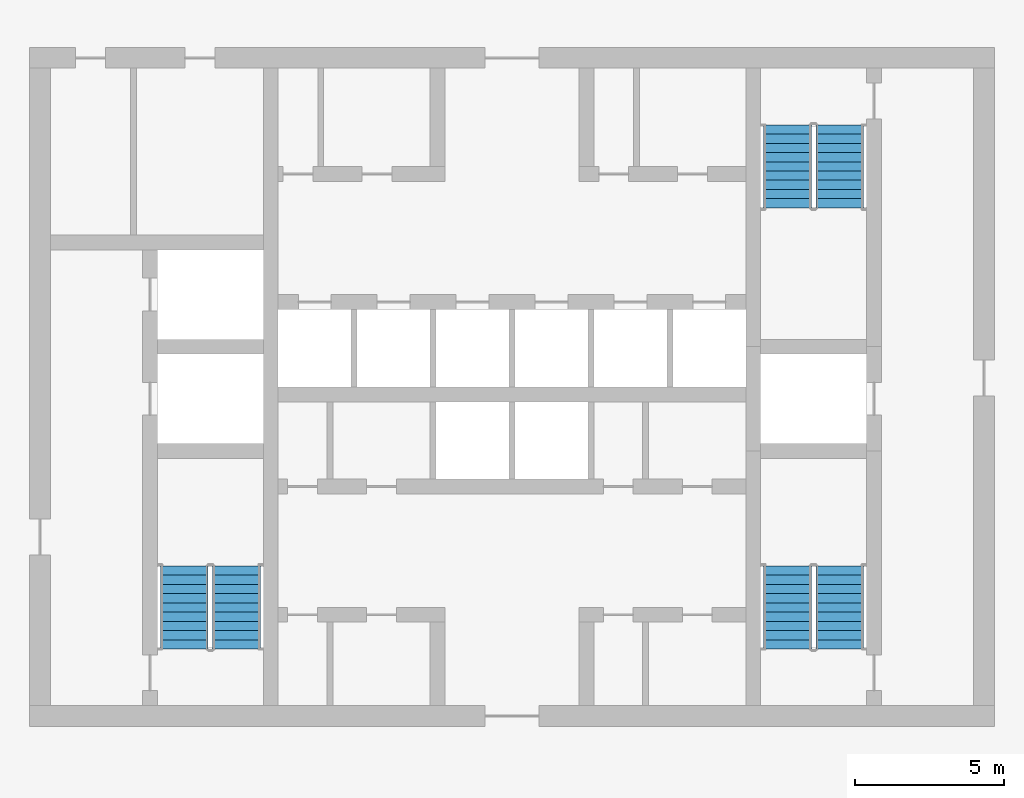
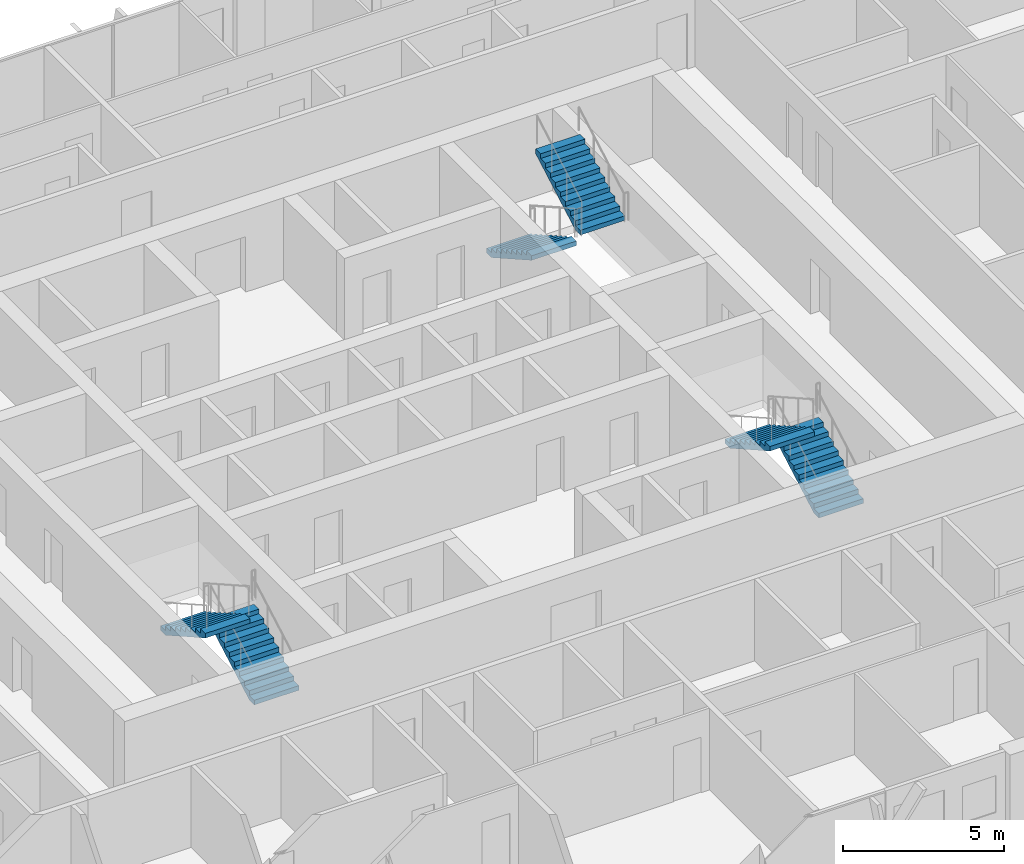
# One storey, part 16 of 22: 6 stair flights, 3 elements without a shape of their own.
"""IFC4 building model written with IfcOpenShell, lengths in metres."""

from ifc_helpers import new_model, si_unit, direction, frame, origin, place, context, subcontext, project, spatial, polyline, outline, extrude, material, type_object, element, aggregate, save


model = new_model("IFC4")

# Units and contexts
model_context = context("Model", 3, precision=1e-05, world=origin(), true_north=direction((0.0, 1.0)))
body_context = subcontext(model_context, "Body", "Model", "MODEL_VIEW")
ifc_project = project(units=[si_unit("LENGTHUNIT", "METRE"), si_unit("AREAUNIT", "SQUARE_METRE"), si_unit("VOLUMEUNIT", "CUBIC_METRE"), si_unit("PLANEANGLEUNIT", "RADIAN"), si_unit("MASSUNIT", "GRAM", prefix="KILO")], contexts=[model_context])

# Site, building, storey
site_placement = place(None, origin())
site = spatial("IfcSite", under=ifc_project, at=site_placement, CompositionType="ELEMENT")
building_placement = place(site_placement, origin())
building = spatial("IfcBuilding", under=site, at=building_placement, Name="Madar Terraces", CompositionType="ELEMENT")
storey_placement = place(building_placement, frame((0.0, 0.0, 199.89990234375)))
storey = spatial("IfcBuildingStorey", under=building, at=storey_placement, Name="L52", CompositionType="ELEMENT", Elevation=199.89990234375)

# Stair, stair flights
ifc_material_1 = material(Name="Concrete C50/60", Category="concrete")
stair_type_1 = type_object("IfcStairType", Name="Stair ST1 protected exit", PredefinedType="HALF_TURN_STAIR", material=ifc_material_1)
stair_1_placement = place(storey_placement, origin())
stair_1 = element("IfcStair", 1, at=stair_1_placement, inside=storey, type_object=stair_type_1, Name="L52 Protected Exit Stair ST1", PredefinedType="HALF_TURN_STAIR")
ifc_material_2 = material(Name="Concrete C50/60", Category="concrete")
stair_flight_type_1 = type_object("IfcStairFlightType", Name="Stair flight ST1-F4, 1600 wide, 10 risers", PredefinedType="STRAIGHT", material=ifc_material_2)
stair_flight_1_placement = place(storey_placement, frame((21.949951171875, 17.60009765625, 0.0), z_axis=(0.0, 0.0, 1.0), x_axis=(0.0, 1.0, 0.0)))
stair_flight_1 = element("IfcStairFlight", 2, at=stair_flight_1_placement, type_object=stair_flight_type_1, Name="ST1 flight 1", NumberOfRisers=10, NumberOfTreads=9, PredefinedType="STRAIGHT", RiserHeight=0.175, TreadLength=0.31, context=body_context, shape_type="SweptSolid", body=[
    extrude(outline(polyline([(0.0, 0.0), (0.0, 0.175048828125), (0.31005859375, 0.175048828125), (0.31005859375, 0.35009765625), (0.6201171875, 0.35009765625), (0.6201171875, 0.52490234375), (0.929931640625, 0.52490234375), (0.929931640625, 0.699951171875), (1.239990234375, 0.699951171875), (1.239990234375, 0.875), (1.550048828125, 0.875), (1.550048828125, 1.050048828125), (1.860107421875, 1.050048828125), (1.860107421875, 1.22509765625), (2.169921875, 1.22509765625), (2.169921875, 1.39990234375), (2.47998046875, 1.39990234375), (2.47998046875, 1.574951171875), (2.7900390625, 1.574951171875), (2.7900390625, 1.75), (2.7900390625, 1.40283203125), (0.304931640625, 0.0), (0.0, 0.0)])), frame((0.0, 0.800048828125, 0.0), z_axis=(0.0, -1.0, 0.0), x_axis=(1.0, 0.0, 0.0)), (0.0, 0.0, 1.0), 1.60009765625),
])
stair_flight_2_placement = place(storey_placement, frame((20.199951171875, 20.389892578125, 1.75), z_axis=(0.0, 0.0, 1.0), x_axis=(0.0, -1.0, 0.0)))
stair_flight_2 = element("IfcStairFlight", 3, at=stair_flight_2_placement, type_object=stair_flight_type_1, Name="ST1 flight 2", NumberOfRisers=10, NumberOfTreads=9, PredefinedType="STRAIGHT", RiserHeight=0.175, TreadLength=0.31, context=body_context, shape_type="SweptSolid", body=[
    extrude(outline(polyline([(0.0, 0.0), (0.0, 0.175048828125), (0.31005859375, 0.175048828125), (0.31005859375, 0.35009765625), (0.6201171875, 0.35009765625), (0.6201171875, 0.52490234375), (0.929931640625, 0.52490234375), (0.929931640625, 0.699951171875), (1.239990234375, 0.699951171875), (1.239990234375, 0.875), (1.550048828125, 0.875), (1.550048828125, 1.050048828125), (1.860107421875, 1.050048828125), (1.860107421875, 1.22509765625), (2.169921875, 1.22509765625), (2.169921875, 1.39990234375), (2.47998046875, 1.39990234375), (2.47998046875, 1.574951171875), (2.7900390625, 1.574951171875), (2.7900390625, 1.75), (2.7900390625, 1.40283203125), (0.304931640625, 0.0), (0.0, 0.0)])), frame((0.0, 0.800048828125, 0.0), z_axis=(0.0, -1.0, 0.0), x_axis=(1.0, 0.0, 0.0)), (0.0, 0.0, 1.0), 1.60009765625),
])
aggregate(stair_1, [stair_flight_1, stair_flight_2])

ifc_material_3 = material(Name="Concrete C50/60", Category="concrete")
stair_type_2 = type_object("IfcStairType", Name="Stair ST2 protected exit", PredefinedType="HALF_TURN_STAIR", material=ifc_material_3)
stair_2_placement = place(storey_placement, origin())
stair_2 = element("IfcStair", 4, at=stair_2_placement, inside=storey, type_object=stair_type_2, Name="L52 Protected Exit Stair ST2", PredefinedType="HALF_TURN_STAIR")
ifc_material_4 = material(Name="Concrete C50/60", Category="concrete")
stair_flight_type_2 = type_object("IfcStairFlightType", Name="Stair flight ST2-F4, 1600 wide, 10 risers", PredefinedType="STRAIGHT", material=ifc_material_4)
stair_flight_3_placement = place(storey_placement, frame((40.449951171875, 35.199951171875, 0.0), z_axis=(0.0, 0.0, 1.0), x_axis=(0.0, -1.0, 0.0)))
stair_flight_3 = element("IfcStairFlight", 5, at=stair_flight_3_placement, type_object=stair_flight_type_2, Name="ST2 flight 1", NumberOfRisers=10, NumberOfTreads=9, PredefinedType="STRAIGHT", RiserHeight=0.175, TreadLength=0.31, context=body_context, shape_type="SweptSolid", body=[
    extrude(outline(polyline([(0.0, 0.0), (0.0, 0.175048828125), (0.31005859375, 0.175048828125), (0.31005859375, 0.35009765625), (0.6201171875, 0.35009765625), (0.6201171875, 0.52490234375), (0.929931640625, 0.52490234375), (0.929931640625, 0.699951171875), (1.239990234375, 0.699951171875), (1.239990234375, 0.875), (1.550048828125, 0.875), (1.550048828125, 1.050048828125), (1.860107421875, 1.050048828125), (1.860107421875, 1.22509765625), (2.169921875, 1.22509765625), (2.169921875, 1.39990234375), (2.47998046875, 1.39990234375), (2.47998046875, 1.574951171875), (2.7900390625, 1.574951171875), (2.7900390625, 1.75), (2.7900390625, 1.40283203125), (0.304931640625, 0.0), (0.0, 0.0)])), frame((0.0, 0.800048828125, 0.0), z_axis=(0.0, -1.0, 0.0), x_axis=(1.0, 0.0, 0.0)), (0.0, 0.0, 1.0), 1.60009765625),
])
stair_flight_4_placement = place(storey_placement, frame((42.199951171875, 32.409912109375, 1.75), z_axis=(0.0, 0.0, 1.0), x_axis=(0.0, 1.0, 0.0)))
stair_flight_4 = element("IfcStairFlight", 6, at=stair_flight_4_placement, type_object=stair_flight_type_2, Name="ST2 flight 2", NumberOfRisers=10, NumberOfTreads=9, PredefinedType="STRAIGHT", RiserHeight=0.175, TreadLength=0.31, context=body_context, shape_type="SweptSolid", body=[
    extrude(outline(polyline([(0.0, 0.0), (0.0, 0.175048828125), (0.31005859375, 0.175048828125), (0.31005859375, 0.35009765625), (0.6201171875, 0.35009765625), (0.6201171875, 0.52490234375), (0.929931640625, 0.52490234375), (0.929931640625, 0.699951171875), (1.239990234375, 0.699951171875), (1.239990234375, 0.875), (1.550048828125, 0.875), (1.550048828125, 1.050048828125), (1.860107421875, 1.050048828125), (1.860107421875, 1.22509765625), (2.169921875, 1.22509765625), (2.169921875, 1.39990234375), (2.47998046875, 1.39990234375), (2.47998046875, 1.574951171875), (2.7900390625, 1.574951171875), (2.7900390625, 1.75), (2.7900390625, 1.40283203125), (0.304931640625, 0.0), (0.0, 0.0)])), frame((0.0, 0.800048828125, 0.0), z_axis=(0.0, -1.0, 0.0), x_axis=(1.0, 0.0, 0.0)), (0.0, 0.0, 1.0), 1.60009765625),
])
aggregate(stair_2, [stair_flight_3, stair_flight_4])

ifc_material_5 = material(Name="Concrete C50/60", Category="concrete")
stair_type_3 = type_object("IfcStairType", Name="Stair ST3 protected exit", PredefinedType="HALF_TURN_STAIR", material=ifc_material_5)
stair_3_placement = place(storey_placement, origin())
stair_3 = element("IfcStair", 7, at=stair_3_placement, inside=storey, type_object=stair_type_3, Name="L52 Protected Exit Stair ST3", PredefinedType="HALF_TURN_STAIR")
ifc_material_6 = material(Name="Concrete C50/60", Category="concrete")
stair_flight_type_3 = type_object("IfcStairFlightType", Name="Stair flight ST3-F4, 1600 wide, 10 risers", PredefinedType="STRAIGHT", material=ifc_material_6)
stair_flight_5_placement = place(storey_placement, frame((42.199951171875, 17.60009765625, 0.0), z_axis=(0.0, 0.0, 1.0), x_axis=(0.0, 1.0, 0.0)))
stair_flight_5 = element("IfcStairFlight", 8, at=stair_flight_5_placement, type_object=stair_flight_type_3, Name="ST3 flight 1", NumberOfRisers=10, NumberOfTreads=9, PredefinedType="STRAIGHT", RiserHeight=0.175, TreadLength=0.31, context=body_context, shape_type="SweptSolid", body=[
    extrude(outline(polyline([(0.0, 0.0), (0.0, 0.175048828125), (0.31005859375, 0.175048828125), (0.31005859375, 0.35009765625), (0.6201171875, 0.35009765625), (0.6201171875, 0.52490234375), (0.929931640625, 0.52490234375), (0.929931640625, 0.699951171875), (1.239990234375, 0.699951171875), (1.239990234375, 0.875), (1.550048828125, 0.875), (1.550048828125, 1.050048828125), (1.860107421875, 1.050048828125), (1.860107421875, 1.22509765625), (2.169921875, 1.22509765625), (2.169921875, 1.39990234375), (2.47998046875, 1.39990234375), (2.47998046875, 1.574951171875), (2.7900390625, 1.574951171875), (2.7900390625, 1.75), (2.7900390625, 1.40283203125), (0.304931640625, 0.0), (0.0, 0.0)])), frame((0.0, 0.800048828125, 0.0), z_axis=(0.0, -1.0, 0.0), x_axis=(1.0, 0.0, 0.0)), (0.0, 0.0, 1.0), 1.60009765625),
])
stair_flight_6_placement = place(storey_placement, frame((40.449951171875, 20.389892578125, 1.75), z_axis=(0.0, 0.0, 1.0), x_axis=(0.0, -1.0, 0.0)))
stair_flight_6 = element("IfcStairFlight", 9, at=stair_flight_6_placement, type_object=stair_flight_type_3, Name="ST3 flight 2", NumberOfRisers=10, NumberOfTreads=9, PredefinedType="STRAIGHT", RiserHeight=0.175, TreadLength=0.31, context=body_context, shape_type="SweptSolid", body=[
    extrude(outline(polyline([(0.0, 0.0), (0.0, 0.175048828125), (0.31005859375, 0.175048828125), (0.31005859375, 0.35009765625), (0.6201171875, 0.35009765625), (0.6201171875, 0.52490234375), (0.929931640625, 0.52490234375), (0.929931640625, 0.699951171875), (1.239990234375, 0.699951171875), (1.239990234375, 0.875), (1.550048828125, 0.875), (1.550048828125, 1.050048828125), (1.860107421875, 1.050048828125), (1.860107421875, 1.22509765625), (2.169921875, 1.22509765625), (2.169921875, 1.39990234375), (2.47998046875, 1.39990234375), (2.47998046875, 1.574951171875), (2.7900390625, 1.574951171875), (2.7900390625, 1.75), (2.7900390625, 1.40283203125), (0.304931640625, 0.0), (0.0, 0.0)])), frame((0.0, 0.800048828125, 0.0), z_axis=(0.0, -1.0, 0.0), x_axis=(1.0, 0.0, 0.0)), (0.0, 0.0, 1.0), 1.60009765625),
])
aggregate(stair_3, [stair_flight_5, stair_flight_6])

save(model, "model.ifc")
